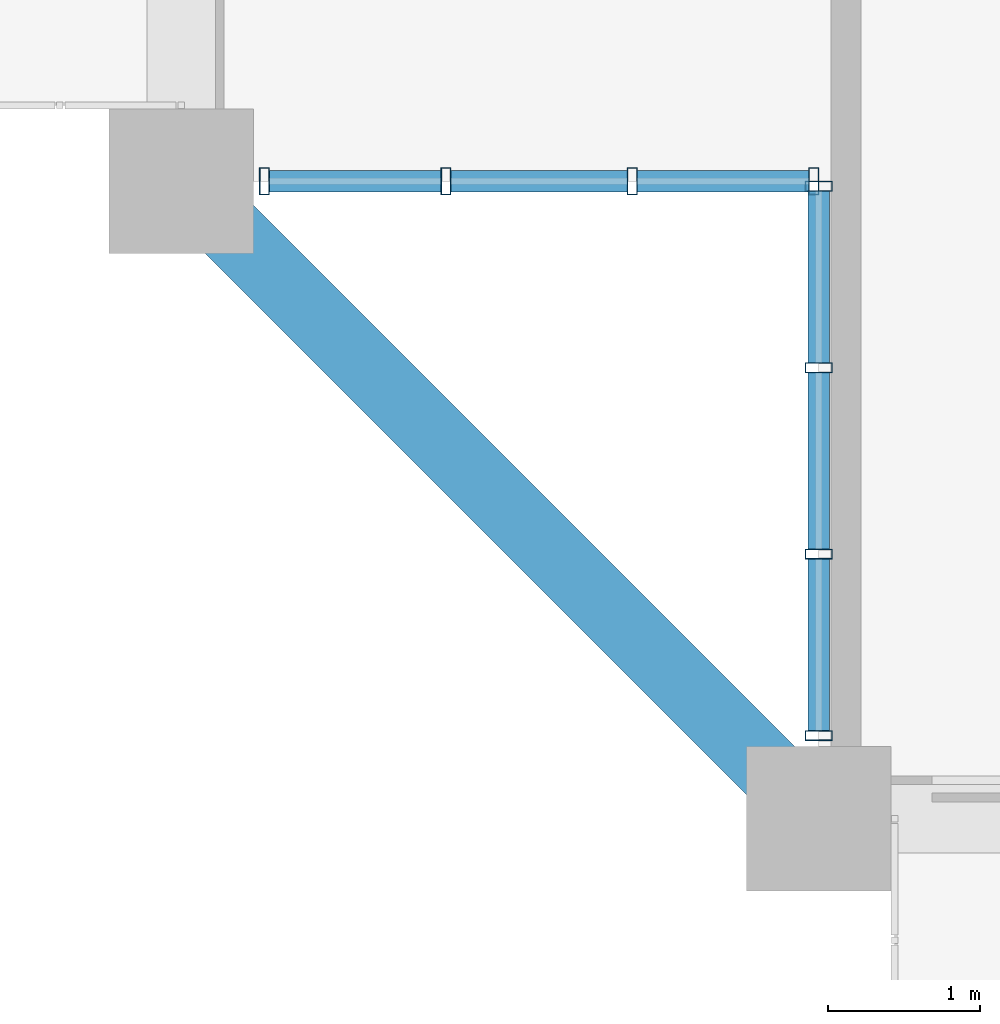
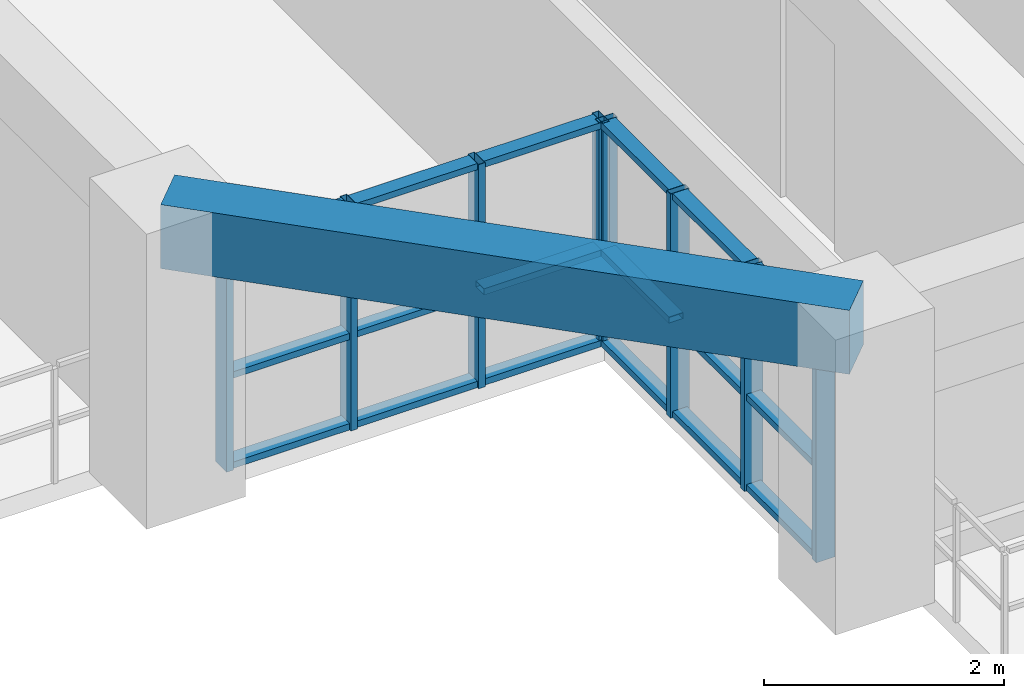
# One storey, part 2 of 25: 26 members, 1 beam, 2 elements without a shape of their own.
"""IFC4 building model written with IfcOpenShell, lengths in metres."""

from ifc_helpers import new_model, si_unit, direction, frame, origin, origin_2d, place, context, subcontext, project, spatial, rectangle, hollow_rectangle, extrude, source, transform, mapped, material, layer, layer_set, material_profile, profile_set, type_object, element, aggregate, save


model = new_model("IFC4")

# Units and contexts
model_context = context("Model", 3, precision=1e-05, world=origin(), true_north=direction((0.0, 1.0)))
body_context = subcontext(model_context, "Body", "Model", "MODEL_VIEW")
ifc_project = project(units=[si_unit("LENGTHUNIT", "METRE"), si_unit("AREAUNIT", "SQUARE_METRE"), si_unit("VOLUMEUNIT", "CUBIC_METRE"), si_unit("PLANEANGLEUNIT", "RADIAN"), si_unit("MASSUNIT", "GRAM", prefix="KILO")], contexts=[model_context])

# Site, building, storey
site_placement = place(None, origin())
site = spatial("IfcSite", under=ifc_project, at=site_placement, CompositionType="ELEMENT")
building_placement = place(site_placement, origin())
building = spatial("IfcBuilding", under=site, at=building_placement, Name="Saelheon Loggia Tower", CompositionType="ELEMENT")
storey_placement = place(building_placement, frame((0.0, 0.0, 80.85009765625)))
storey = spatial("IfcBuildingStorey", under=building, at=storey_placement, Name="L25", CompositionType="ELEMENT", Elevation=80.85009765625)

# Beam
ifc_material_1 = material(Name="Concrete C40/50", Category="concrete")
ifc_material_profile_1 = material_profile(ifc_material_1, rectangle(XDim=0.449951171875, YDim=0.64990234375, at=origin_2d()), Name="RC-450x650")
ifc_profile_set_1 = profile_set([ifc_material_profile_1], Name="Concrete C40/50")
beam_type = type_object("IfcBeamType", Name="Beam_PerimTower_RC450x650", PredefinedType="BEAM", material=ifc_profile_set_1)
shared_shape_1 = source(origin(), body_context, "Body", "SweptSolid", [
    extrude(rectangle(XDim=0.449951171875, YDim=0.64990234375, at=origin_2d()), origin(), (0.0, 0.0, 1.0), 5.939697265625),
])
beam_placement = place(storey_placement, frame((12.0, 7.199951171875, 2.6748046875), z_axis=(0.707106781187, -0.707106781187, 0.0), x_axis=(0.707106781187, 0.707106781187, 0.0)))
element("IfcBeam", 1, at=beam_placement, inside=storey, type_object=beam_type, Name="L25 Perimeter Frame Girder 16", PredefinedType="BEAM", context=body_context, shape_type="MappedRepresentation", body=[
    mapped(shared_shape_1, transform((0.0, 0.0, 0.0), scale=1.0)),
])

# Curtain wall, members
ifc_material_2 = material(Name="Thermal-Break Aluminium and Triple Low-E Glass", Category="aluminium")
ifc_layer = layer(ifc_material_2, 0.159912109375)
ifc_layer_set = layer_set([ifc_layer], Name="Thermal-Break Aluminium and Triple Low-E Glass")
curtain_wall_type = type_object("IfcCurtainWallType", Name="CW_TowerLoggiaLow", PredefinedType="NOTDEFINED", material=ifc_layer_set)
curtain_wall_1_placement = place(storey_placement, origin())
curtain_wall_1 = element("IfcCurtainWall", 2, at=curtain_wall_1_placement, inside=storey, type_object=curtain_wall_type, Name="L25 Corner Notch Glazing SW1", PredefinedType="NOTDEFINED")
ifc_material_3 = material(Name="Anodised Aluminium 6063-T6", Category="aluminium")
ifc_material_profile_2 = material_profile(ifc_material_3, hollow_rectangle(XDim=0.06494140625, YDim=0.179931640625, WallThickness=0.00390625, at=origin_2d()), Name="RHS-180x65x4")
ifc_profile_set_2 = profile_set([ifc_material_profile_2], Name="Anodised Aluminium 6063-T6")
member_type_1 = type_object("IfcMemberType", Name="CW_TowerLoggiaLow_Mullion", PredefinedType="MULLION", material=ifc_profile_set_2)
shared_shape_2 = source(origin(), body_context, "Body", "SweptSolid", [
    extrude(hollow_rectangle(XDim=0.06494140625, YDim=0.179931640625, WallThickness=0.00390625, at=origin_2d()), origin(), (0.0, 0.0, 1.0), 2.27978515625),
])
member_1_placement = place(storey_placement, frame((16.199951171875, 3.547607421875, 0.0), z_axis=(0.0, 0.0, 1.0), x_axis=(0.0, 1.0, 0.0)))
member_1 = element("IfcMember", 3, at=member_1_placement, type_object=member_type_1, Name="CW3 mullion 1", PredefinedType="MULLION", context=body_context, shape_type="MappedRepresentation", body=[
    mapped(shared_shape_2, transform((0.0, 0.0, 0.0), scale=1.0)),
])
member_2_placement = place(storey_placement, frame((16.199951171875, 4.743408203125, 0.0), z_axis=(0.0, 0.0, 1.0), x_axis=(0.0, 1.0, 0.0)))
member_2 = element("IfcMember", 4, at=member_2_placement, type_object=member_type_1, Name="CW3 mullion 2", PredefinedType="MULLION", context=body_context, shape_type="MappedRepresentation", body=[
    mapped(shared_shape_2, transform((0.0, 0.0, 0.0), scale=1.0)),
])
member_3_placement = place(storey_placement, frame((16.199951171875, 5.9716796875, 0.0), z_axis=(0.0, 0.0, 1.0), x_axis=(0.0, 1.0, 0.0)))
member_3 = element("IfcMember", 5, at=member_3_placement, type_object=member_type_1, Name="CW3 mullion 3", PredefinedType="MULLION", context=body_context, shape_type="MappedRepresentation", body=[
    mapped(shared_shape_2, transform((0.0, 0.0, 0.0), scale=1.0)),
])
member_4_placement = place(storey_placement, frame((16.199951171875, 7.16748046875, 0.0), z_axis=(0.0, 0.0, 1.0), x_axis=(0.0, 1.0, 0.0)))
member_4 = element("IfcMember", 6, at=member_4_placement, type_object=member_type_1, Name="CW3 mullion 4", PredefinedType="MULLION", context=body_context, shape_type="MappedRepresentation", body=[
    mapped(shared_shape_2, transform((0.0, 0.0, 0.0), scale=1.0)),
])

curtain_wall_2_placement = place(storey_placement, origin())
curtain_wall_2 = element("IfcCurtainWall", 7, at=curtain_wall_2_placement, inside=storey, type_object=curtain_wall_type, Name="L25 Corner Notch Glazing SW2", PredefinedType="NOTDEFINED")
member_5_placement = place(storey_placement, frame((12.547607421875, 7.199951171875, 0.0), z_axis=(0.0, 0.0, 1.0), x_axis=(1.0, 0.0, 0.0)))
member_5 = element("IfcMember", 8, at=member_5_placement, type_object=member_type_1, Name="CW3 mullion 1", PredefinedType="MULLION", context=body_context, shape_type="MappedRepresentation", body=[
    mapped(shared_shape_2, transform((0.0, 0.0, 0.0), scale=1.0)),
])
member_6_placement = place(storey_placement, frame((13.743408203125, 7.199951171875, 0.0), z_axis=(0.0, 0.0, 1.0), x_axis=(1.0, 0.0, 0.0)))
member_6 = element("IfcMember", 9, at=member_6_placement, type_object=member_type_1, Name="CW3 mullion 2", PredefinedType="MULLION", context=body_context, shape_type="MappedRepresentation", body=[
    mapped(shared_shape_2, transform((0.0, 0.0, 0.0), scale=1.0)),
])
member_7_placement = place(storey_placement, frame((14.9716796875, 7.199951171875, 0.0), z_axis=(0.0, 0.0, 1.0), x_axis=(1.0, 0.0, 0.0)))
member_7 = element("IfcMember", 10, at=member_7_placement, type_object=member_type_1, Name="CW3 mullion 3", PredefinedType="MULLION", context=body_context, shape_type="MappedRepresentation", body=[
    mapped(shared_shape_2, transform((0.0, 0.0, 0.0), scale=1.0)),
])
member_8_placement = place(storey_placement, frame((16.16748046875, 7.199951171875, 0.0), z_axis=(0.0, 0.0, 1.0), x_axis=(1.0, 0.0, 0.0)))
member_8 = element("IfcMember", 11, at=member_8_placement, type_object=member_type_1, Name="CW3 mullion 4", PredefinedType="MULLION", context=body_context, shape_type="MappedRepresentation", body=[
    mapped(shared_shape_2, transform((0.0, 0.0, 0.0), scale=1.0)),
])

# Member
ifc_material_profile_3 = material_profile(ifc_material_3, hollow_rectangle(XDim=0.06494140625, YDim=0.139892578125, WallThickness=0.00390625, at=origin_2d()), Name="RHS-140x65x4")
ifc_profile_set_3 = profile_set([ifc_material_profile_3], Name="Anodised Aluminium 6063-T6")
member_type_2 = type_object("IfcMemberType", Name="CW_TowerLoggiaLow_Transom", PredefinedType="USERDEFINED", material=ifc_profile_set_3)
shared_shape_3 = source(origin(), body_context, "Body", "SweptSolid", [
    extrude(hollow_rectangle(XDim=0.06494140625, YDim=0.139892578125, WallThickness=0.00390625, at=origin_2d()), origin(), (0.0, 0.0, 1.0), 1.130859375),
])
member_9_placement = place(storey_placement, frame((16.199951171875, 3.580078125, 0.032470703125), z_axis=(0.0, 1.0, 0.0), x_axis=(0.0, 0.0, 1.0)))
member_9 = element("IfcMember", 12, at=member_9_placement, type_object=member_type_2, Name="CW3 transom 1.1", ObjectType="TRANSOM", PredefinedType="USERDEFINED", context=body_context, shape_type="MappedRepresentation", body=[
    mapped(shared_shape_3, transform((0.0, 0.0, 0.0), scale=1.0)),
])

member_10_placement = place(storey_placement, frame((16.199951171875, 3.580078125, 0.949951171875), z_axis=(0.0, 1.0, 0.0), x_axis=(0.0, 0.0, 1.0)))
member_10 = element("IfcMember", 13, at=member_10_placement, type_object=member_type_2, Name="CW3 transom 1.2", ObjectType="TRANSOM", PredefinedType="USERDEFINED", context=body_context, shape_type="MappedRepresentation", body=[
    mapped(shared_shape_3, transform((0.0, 0.0, 0.0), scale=1.0)),
])

member_11_placement = place(storey_placement, frame((16.199951171875, 3.580078125, 2.247314453125), z_axis=(0.0, 1.0, 0.0), x_axis=(0.0, 0.0, 1.0)))
member_11 = element("IfcMember", 14, at=member_11_placement, type_object=member_type_2, Name="CW3 transom 1.3", ObjectType="TRANSOM", PredefinedType="USERDEFINED", context=body_context, shape_type="MappedRepresentation", body=[
    mapped(shared_shape_3, transform((0.0, 0.0, 0.0), scale=1.0)),
])

member_12_placement = place(storey_placement, frame((16.199951171875, 6.004150390625, 0.032470703125), z_axis=(0.0, 1.0, 0.0), x_axis=(0.0, 0.0, 1.0)))
member_12 = element("IfcMember", 15, at=member_12_placement, type_object=member_type_2, Name="CW3 transom 3.1", ObjectType="TRANSOM", PredefinedType="USERDEFINED", context=body_context, shape_type="MappedRepresentation", body=[
    mapped(shared_shape_3, transform((0.0, 0.0, 0.0), scale=1.0)),
])

member_13_placement = place(storey_placement, frame((16.199951171875, 6.004150390625, 0.949951171875), z_axis=(0.0, 1.0, 0.0), x_axis=(0.0, 0.0, 1.0)))
member_13 = element("IfcMember", 16, at=member_13_placement, type_object=member_type_2, Name="CW3 transom 3.2", ObjectType="TRANSOM", PredefinedType="USERDEFINED", context=body_context, shape_type="MappedRepresentation", body=[
    mapped(shared_shape_3, transform((0.0, 0.0, 0.0), scale=1.0)),
])

member_14_placement = place(storey_placement, frame((16.199951171875, 6.004150390625, 2.247314453125), z_axis=(0.0, 1.0, 0.0), x_axis=(0.0, 0.0, 1.0)))
member_14 = element("IfcMember", 17, at=member_14_placement, type_object=member_type_2, Name="CW3 transom 3.3", ObjectType="TRANSOM", PredefinedType="USERDEFINED", context=body_context, shape_type="MappedRepresentation", body=[
    mapped(shared_shape_3, transform((0.0, 0.0, 0.0), scale=1.0)),
])

member_15_placement = place(storey_placement, frame((12.580078125, 7.199951171875, 0.032470703125), z_axis=(1.0, 0.0, 0.0), x_axis=(0.0, 0.0, 1.0)))
member_15 = element("IfcMember", 18, at=member_15_placement, type_object=member_type_2, Name="CW3 transom 1.1", ObjectType="TRANSOM", PredefinedType="USERDEFINED", context=body_context, shape_type="MappedRepresentation", body=[
    mapped(shared_shape_3, transform((0.0, 0.0, 0.0), scale=1.0)),
])

member_16_placement = place(storey_placement, frame((12.580078125, 7.199951171875, 0.949951171875), z_axis=(1.0, 0.0, 0.0), x_axis=(0.0, 0.0, 1.0)))
member_16 = element("IfcMember", 19, at=member_16_placement, type_object=member_type_2, Name="CW3 transom 1.2", ObjectType="TRANSOM", PredefinedType="USERDEFINED", context=body_context, shape_type="MappedRepresentation", body=[
    mapped(shared_shape_3, transform((0.0, 0.0, 0.0), scale=1.0)),
])

member_17_placement = place(storey_placement, frame((12.580078125, 7.199951171875, 2.247314453125), z_axis=(1.0, 0.0, 0.0), x_axis=(0.0, 0.0, 1.0)))
member_17 = element("IfcMember", 20, at=member_17_placement, type_object=member_type_2, Name="CW3 transom 1.3", ObjectType="TRANSOM", PredefinedType="USERDEFINED", context=body_context, shape_type="MappedRepresentation", body=[
    mapped(shared_shape_3, transform((0.0, 0.0, 0.0), scale=1.0)),
])

member_18_placement = place(storey_placement, frame((15.004150390625, 7.199951171875, 0.032470703125), z_axis=(1.0, 0.0, 0.0), x_axis=(0.0, 0.0, 1.0)))
member_18 = element("IfcMember", 21, at=member_18_placement, type_object=member_type_2, Name="CW3 transom 3.1", ObjectType="TRANSOM", PredefinedType="USERDEFINED", context=body_context, shape_type="MappedRepresentation", body=[
    mapped(shared_shape_3, transform((0.0, 0.0, 0.0), scale=1.0)),
])

member_19_placement = place(storey_placement, frame((15.004150390625, 7.199951171875, 0.949951171875), z_axis=(1.0, 0.0, 0.0), x_axis=(0.0, 0.0, 1.0)))
member_19 = element("IfcMember", 22, at=member_19_placement, type_object=member_type_2, Name="CW3 transom 3.2", ObjectType="TRANSOM", PredefinedType="USERDEFINED", context=body_context, shape_type="MappedRepresentation", body=[
    mapped(shared_shape_3, transform((0.0, 0.0, 0.0), scale=1.0)),
])

member_20_placement = place(storey_placement, frame((15.004150390625, 7.199951171875, 2.247314453125), z_axis=(1.0, 0.0, 0.0), x_axis=(0.0, 0.0, 1.0)))
member_20 = element("IfcMember", 23, at=member_20_placement, type_object=member_type_2, Name="CW3 transom 3.3", ObjectType="TRANSOM", PredefinedType="USERDEFINED", context=body_context, shape_type="MappedRepresentation", body=[
    mapped(shared_shape_3, transform((0.0, 0.0, 0.0), scale=1.0)),
])

shared_shape_4 = source(origin(), body_context, "Body", "SweptSolid", [
    extrude(hollow_rectangle(XDim=0.06494140625, YDim=0.139892578125, WallThickness=0.00390625, at=origin_2d()), origin(), (0.0, 0.0, 1.0), 1.163330078125),
])
member_21_placement = place(storey_placement, frame((16.199951171875, 4.77587890625, 0.032470703125), z_axis=(0.0, 1.0, 0.0), x_axis=(0.0, 0.0, 1.0)))
member_21 = element("IfcMember", 24, at=member_21_placement, type_object=member_type_2, Name="CW3 transom 2.1", ObjectType="TRANSOM", PredefinedType="USERDEFINED", context=body_context, shape_type="MappedRepresentation", body=[
    mapped(shared_shape_4, transform((0.0, 0.0, 0.0), scale=1.0)),
])

member_22_placement = place(storey_placement, frame((16.199951171875, 4.77587890625, 0.949951171875), z_axis=(0.0, 1.0, 0.0), x_axis=(0.0, 0.0, 1.0)))
member_22 = element("IfcMember", 25, at=member_22_placement, type_object=member_type_2, Name="CW3 transom 2.2", ObjectType="TRANSOM", PredefinedType="USERDEFINED", context=body_context, shape_type="MappedRepresentation", body=[
    mapped(shared_shape_4, transform((0.0, 0.0, 0.0), scale=1.0)),
])

member_23_placement = place(storey_placement, frame((16.199951171875, 4.77587890625, 2.247314453125), z_axis=(0.0, 1.0, 0.0), x_axis=(0.0, 0.0, 1.0)))
member_23 = element("IfcMember", 26, at=member_23_placement, type_object=member_type_2, Name="CW3 transom 2.3", ObjectType="TRANSOM", PredefinedType="USERDEFINED", context=body_context, shape_type="MappedRepresentation", body=[
    mapped(shared_shape_4, transform((0.0, 0.0, 0.0), scale=1.0)),
])

aggregate(curtain_wall_1, [member_1, member_2, member_3, member_4, member_9, member_10, member_11, member_21, member_22, member_23, member_12, member_13, member_14])

member_24_placement = place(storey_placement, frame((13.77587890625, 7.199951171875, 0.032470703125), z_axis=(1.0, 0.0, 0.0), x_axis=(0.0, 0.0, 1.0)))
member_24 = element("IfcMember", 27, at=member_24_placement, type_object=member_type_2, Name="CW3 transom 2.1", ObjectType="TRANSOM", PredefinedType="USERDEFINED", context=body_context, shape_type="MappedRepresentation", body=[
    mapped(shared_shape_4, transform((0.0, 0.0, 0.0), scale=1.0)),
])

member_25_placement = place(storey_placement, frame((13.77587890625, 7.199951171875, 0.949951171875), z_axis=(1.0, 0.0, 0.0), x_axis=(0.0, 0.0, 1.0)))
member_25 = element("IfcMember", 28, at=member_25_placement, type_object=member_type_2, Name="CW3 transom 2.2", ObjectType="TRANSOM", PredefinedType="USERDEFINED", context=body_context, shape_type="MappedRepresentation", body=[
    mapped(shared_shape_4, transform((0.0, 0.0, 0.0), scale=1.0)),
])

member_26_placement = place(storey_placement, frame((13.77587890625, 7.199951171875, 2.247314453125), z_axis=(1.0, 0.0, 0.0), x_axis=(0.0, 0.0, 1.0)))
member_26 = element("IfcMember", 29, at=member_26_placement, type_object=member_type_2, Name="CW3 transom 2.3", ObjectType="TRANSOM", PredefinedType="USERDEFINED", context=body_context, shape_type="MappedRepresentation", body=[
    mapped(shared_shape_4, transform((0.0, 0.0, 0.0), scale=1.0)),
])

aggregate(curtain_wall_2, [member_5, member_6, member_7, member_8, member_15, member_16, member_17, member_24, member_25, member_26, member_18, member_19, member_20])

save(model, "model.ifc")
